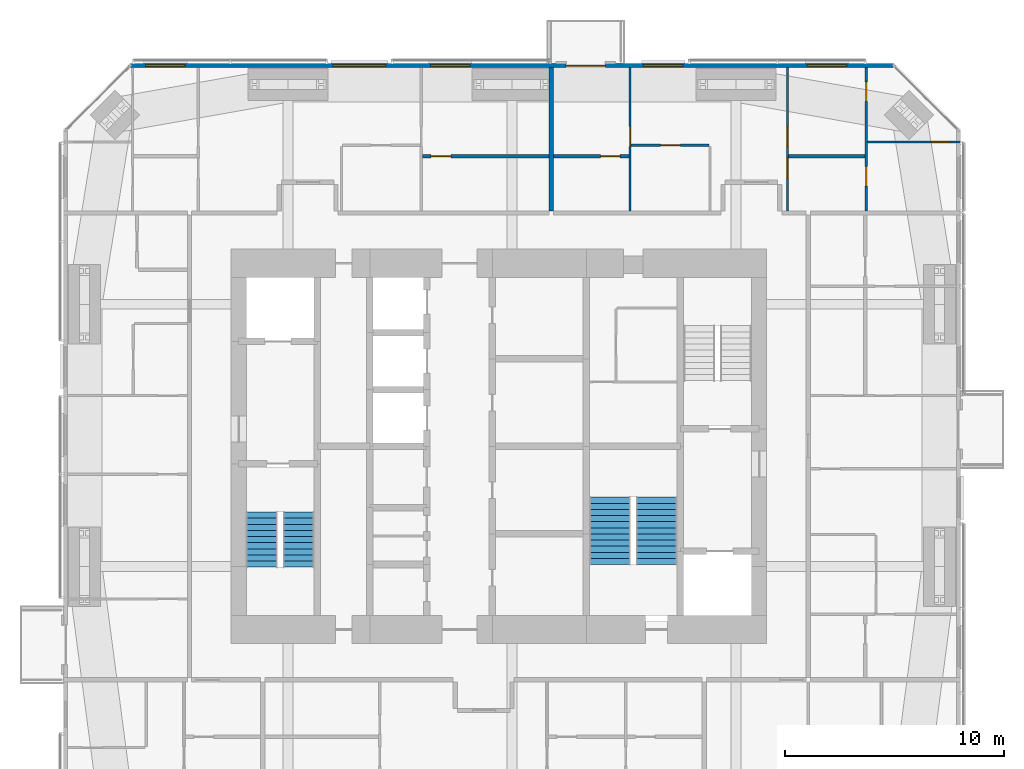
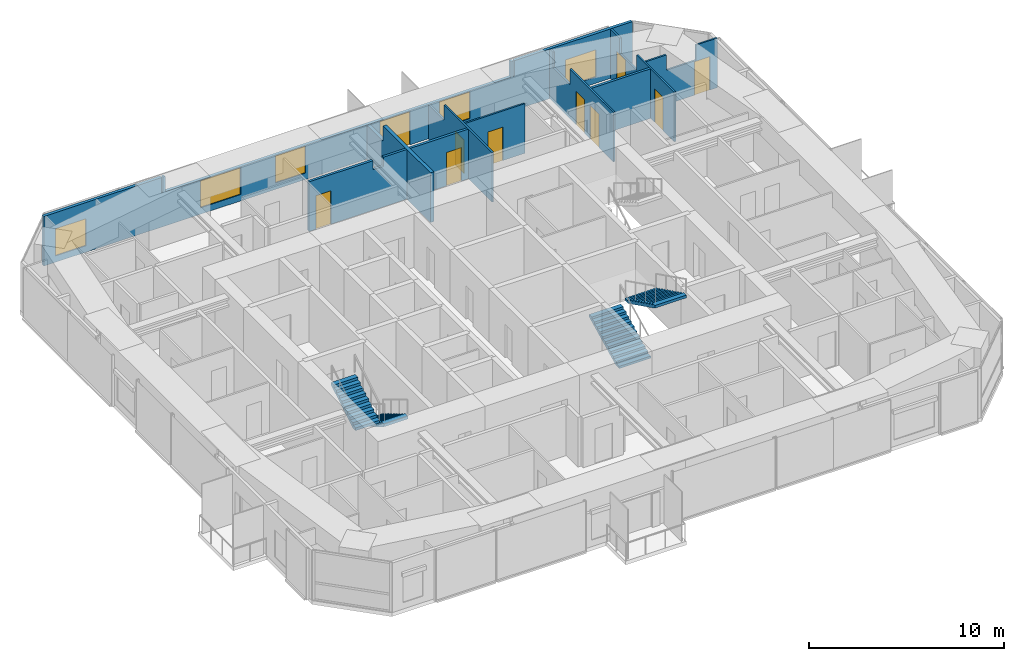
# One storey, part 21 of 23: 10 doors, 10 walls, 5 windows, 4 stair flights, 15 openings, 2 elements without a shape of their own.
"""IFC4 building model written with IfcOpenShell, lengths in metres."""

from ifc_helpers import new_model, si_unit, direction, frame, frame_2d, origin, place, context, subcontext, project, spatial, polyline, rectangle, outline, extrude, material, constituent, constituent_set, type_object, element, fill, aggregate, save


model = new_model("IFC4")

# Units and contexts
model_context = context("Model", 3, precision=1e-05, world=origin(), true_north=direction((0.0, 1.0)))
body_context = subcontext(model_context, "Body", "Model", "MODEL_VIEW")
ifc_project = project(units=[si_unit("LENGTHUNIT", "METRE"), si_unit("AREAUNIT", "SQUARE_METRE"), si_unit("VOLUMEUNIT", "CUBIC_METRE"), si_unit("PLANEANGLEUNIT", "RADIAN"), si_unit("MASSUNIT", "GRAM", prefix="KILO")], contexts=[model_context])

# Site, building, storey
site_placement = place(None, origin())
site = spatial("IfcSite", under=ifc_project, at=site_placement, CompositionType="ELEMENT")
building_placement = place(site_placement, origin())
building = spatial("IfcBuilding", under=site, at=building_placement, Name="Jalousie Tower", CompositionType="ELEMENT")
storey_placement = place(building_placement, frame((0.0, 0.0, 197.89990234375)))
storey = spatial("IfcBuildingStorey", under=building, at=storey_placement, Name="L54", CompositionType="ELEMENT", Elevation=197.89990234375)

# Wall, opening, door
ifc_material_1 = material(Name="Concrete block ASTM C90", Category="concrete")
ifc_constituent_1 = constituent(ifc_material_1, Name="Body")
ifc_material_2 = material(Name="Render")
ifc_constituent_2 = constituent(ifc_material_2, Name="Finish")
ifc_constituent_set_1 = constituent_set(constituents=[ifc_constituent_1, ifc_constituent_2])
wall_type_1 = type_object("IfcWallType", Name="BATHROOM WALL 150", PredefinedType="PLUMBINGWALL", material=ifc_constituent_set_1)
wall_1_placement = place(storey_placement, frame((28.39990234375, 31.77490234375, 0.0), z_axis=(0.0, 0.0, 1.0), x_axis=(1.0, 0.0, 0.0)))
wall_1 = element("IfcWall", 1, at=wall_1_placement, inside=storey, type_object=wall_type_1, Name="Bathroom Wall 150 L54", PredefinedType="PLUMBINGWALL", context=body_context, shape_type="SweptSolid", body=[
    extrude(outline(polyline([(0.0, 0.0), (5.800048828125, 0.0), (5.800048828125, 3.110107421875), (4.412353515625, 3.110107421875), (4.412353515625, 2.541015625), (3.78759765625, 2.541015625), (3.78759765625, 3.110107421875), (0.0, 3.110107421875), (0.0, 0.0)])), frame((0.0, 0.074951171875, 0.0), z_axis=(0.0, -1.0, 0.0), x_axis=(1.0, 0.0, 0.0)), (0.0, 0.0, 1.0), 0.14990234375),
])
opening_1_placement = place(wall_1_placement, frame((0.39990234375, 0.0, 0.0)))
opening_1 = element("IfcOpeningElement", 2, at=opening_1_placement, cuts=wall_1, Name="Opening D3", PredefinedType="OPENING", context=body_context, shape_type="SweptSolid", body=[
    extrude(rectangle(XDim=0.89990234375, YDim=2.10009765625, at=frame_2d((0.449951171875, 1.050048828125))), frame((0.0, 0.0849609375, 0.0), z_axis=(0.0, -1.0, 0.0), x_axis=(1.0, 0.0, 0.0)), (0.0, 0.0, 1.0), 0.169921875),
])
ifc_material_3 = material(Name="Timber door", Category="wood")
door_type_1 = type_object("IfcDoorType", Name="BATHROOM DOOR 900", OperationType="SINGLE_SWING_LEFT", PredefinedType="DOOR", material=ifc_material_3)
door_1_placement = place(opening_1_placement, frame((0.89990234375, 0.0, 0.0), z_axis=(0.0, 0.0, 1.0), x_axis=(-1.0, 0.0, 0.0)))
door_1 = element("IfcDoor", 3, at=door_1_placement, inside=storey, type_object=door_type_1, Name="Apartment 5404 bedroom 3 bathroom door", OperationType="SINGLE_SWING_RIGHT", OverallHeight=2.10009765625, OverallWidth=0.89990234375, PredefinedType="DOOR", context=body_context, shape_type="SweptSolid", body=[
    extrude(rectangle(XDim=0.89990234375, YDim=2.10009765625, at=frame_2d((0.449951171875, 1.050048828125))), frame((0.0, 0.02490234375, 0.0), z_axis=(0.0, -1.0, 0.0), x_axis=(1.0, 0.0, 0.0)), (0.0, 0.0, 1.0), 0.050048828125),
])
fill(opening_1, door_1)

wall_2_placement = place(storey_placement, frame((34.39990234375, 31.77490234375, 0.0), z_axis=(0.0, 0.0, 1.0), x_axis=(1.0, 0.0, 0.0)))
wall_2 = element("IfcWall", 4, at=wall_2_placement, inside=storey, type_object=wall_type_1, Name="Bathroom Wall 150 L54", PredefinedType="PLUMBINGWALL", context=body_context, shape_type="SweptSolid", body=[
    extrude(rectangle(XDim=3.4501953125, YDim=0.14990234375, at=frame_2d((1.72509765625, 0.0))), origin(), (0.0, 0.0, 1.0), 3.110107421875),
])
opening_2_placement = place(wall_2_placement, frame((2.14990234375, 0.0, 0.0)))
opening_2 = element("IfcOpeningElement", 5, at=opening_2_placement, cuts=wall_2, Name="Opening D3", PredefinedType="OPENING", context=body_context, shape_type="SweptSolid", body=[
    extrude(rectangle(XDim=0.89990234375, YDim=2.10009765625, at=frame_2d((0.449951171875, 1.050048828125))), frame((0.0, 0.0849609375, 0.0), z_axis=(0.0, -1.0, 0.0), x_axis=(1.0, 0.0, 0.0)), (0.0, 0.0, 1.0), 0.169921875),
])
door_2_placement = place(opening_2_placement, frame((0.89990234375, 0.0, 0.0), z_axis=(0.0, 0.0, 1.0), x_axis=(-1.0, 0.0, 0.0)))
door_2 = element("IfcDoor", 6, at=door_2_placement, inside=storey, type_object=door_type_1, Name="Apartment 5405 bedroom 1 bathroom door", OperationType="SINGLE_SWING_LEFT", OverallHeight=2.10009765625, OverallWidth=0.89990234375, PredefinedType="DOOR", context=body_context, shape_type="SweptSolid", body=[
    extrude(rectangle(XDim=0.89990234375, YDim=2.10009765625, at=frame_2d((0.449951171875, 1.050048828125))), frame((0.0, 0.02490234375, 0.0), z_axis=(0.0, -1.0, 0.0), x_axis=(1.0, 0.0, 0.0)), (0.0, 0.0, 1.0), 0.050048828125),
])
fill(opening_2, door_2)

# Wall
wall_3_placement = place(storey_placement, frame((45.14990234375, 31.77490234375, 0.0), z_axis=(0.0, 0.0, 1.0), x_axis=(1.0, 0.0, 0.0)))
element("IfcWall", 7, at=wall_3_placement, inside=storey, type_object=wall_type_1, Name="Bathroom Wall 150 L54", PredefinedType="PLUMBINGWALL", context=body_context, shape_type="SweptSolid", body=[
    extrude(rectangle(XDim=3.5, YDim=0.14990234375, at=frame_2d((1.75, 0.0))), origin(), (0.0, 0.0, 1.0), 3.110107421875),
])

# Wall, openings, door, windows
ifc_material_4 = material(Name="Concrete f'c 40 MPa", Category="concrete")
ifc_constituent_3 = constituent(ifc_material_4, Name="Body")
ifc_material_5 = material(Name="Render, pastel lemon")
ifc_constituent_4 = constituent(ifc_material_5, Name="Finish")
ifc_constituent_set_2 = constituent_set(constituents=[ifc_constituent_3, ifc_constituent_4])
wall_type_2 = type_object("IfcWallType", Name="EXTERNAL WALL 175 LEMON RENDER", PredefinedType="SOLIDWALL", material=ifc_constituent_set_2)
wall_4_placement = place(storey_placement, frame((49.94873046875, 35.91259765625, 0.0), z_axis=(0.0, 0.0, 1.0), x_axis=(-1.0, 0.0, 0.0)))
wall_4 = element("IfcWall", 8, at=wall_4_placement, inside=storey, type_object=wall_type_2, Name="External Wall 175 Lemon Render L54", PredefinedType="SOLIDWALL", context=body_context, shape_type="SweptSolid", body=[
    extrude(outline(polyline([(0.0, 0.0), (34.8974609375, 0.0), (34.8974609375, 3.110107421875), (27.91015625, 3.110107421875), (27.91015625, 2.150146484375), (27.8359375, 2.150146484375), (27.8359375, 3.110107421875), (27.69873046875, 3.110107421875), (27.69873046875, 2.150146484375), (7.19873046875, 2.150146484375), (7.19873046875, 3.110107421875), (7.0615234375, 3.110107421875), (7.0615234375, 2.150146484375), (6.9873046875, 2.150146484375), (6.9873046875, 3.110107421875), (0.0, 3.110107421875), (0.0, 0.0)])), frame((0.0, 0.08740234375, 0.0), z_axis=(0.0, -1.0, 0.0), x_axis=(1.0, 0.0, 0.0)), (0.0, 0.0, 1.0), 0.175048828125),
])
opening_3_placement = place(wall_4_placement, frame((2.148681640625, 0.0, 0.39990234375)))
opening_3 = element("IfcOpeningElement", 9, at=opening_3_placement, cuts=wall_4, Name="Opening W-BED170", PredefinedType="OPENING", context=body_context, shape_type="SweptSolid", body=[
    extrude(rectangle(XDim=1.800048828125, YDim=1.699951171875, at=frame_2d((0.89990234375, 0.85009765625))), frame((0.0, 0.097412109375, 0.0), z_axis=(0.0, -1.0, 0.0), x_axis=(1.0, 0.0, 0.0)), (0.0, 0.0, 1.0), 0.195068359375),
])
opening_4_placement = place(wall_4_placement, frame((9.63623046875, 0.0, 0.39990234375)))
opening_4 = element("IfcOpeningElement", 10, at=opening_4_placement, cuts=wall_4, Name="Opening W-BED170", PredefinedType="OPENING", context=body_context, shape_type="SweptSolid", body=[
    extrude(rectangle(XDim=1.800048828125, YDim=1.699951171875, at=frame_2d((0.89990234375, 0.85009765625))), frame((0.0, 0.097412109375, 0.0), z_axis=(0.0, -1.0, 0.0), x_axis=(1.0, 0.0, 0.0)), (0.0, 0.0, 1.0), 0.195068359375),
])
opening_5_placement = place(wall_4_placement, frame((13.173583984375, 0.0, 0.0)))
opening_5 = element("IfcOpeningElement", 11, at=opening_5_placement, cuts=wall_4, Name="Opening D-BAL21", PredefinedType="OPENING", context=body_context, shape_type="SweptSolid", body=[
    extrude(rectangle(XDim=1.800048828125, YDim=2.10009765625, at=frame_2d((0.89990234375, 1.050048828125))), frame((0.0, 0.097412109375, 0.0), z_axis=(0.0, -1.0, 0.0), x_axis=(1.0, 0.0, 0.0)), (0.0, 0.0, 1.0), 0.195068359375),
])
opening_6_placement = place(wall_4_placement, frame((19.373779296875, 0.0, 0.39990234375)))
opening_6 = element("IfcOpeningElement", 12, at=opening_6_placement, cuts=wall_4, Name="Opening W-BED170", PredefinedType="OPENING", context=body_context, shape_type="SweptSolid", body=[
    extrude(rectangle(XDim=1.800048828125, YDim=1.699951171875, at=frame_2d((0.89990234375, 0.85009765625))), frame((0.0, 0.097412109375, 0.0), z_axis=(0.0, -1.0, 0.0), x_axis=(1.0, 0.0, 0.0)), (0.0, 0.0, 1.0), 0.195068359375),
])
opening_7_placement = place(wall_4_placement, frame((23.2236328125, 0.0, 0.39990234375)))
opening_7 = element("IfcOpeningElement", 13, at=opening_7_placement, cuts=wall_4, Name="Opening W-LIV170", PredefinedType="OPENING", context=body_context, shape_type="SweptSolid", body=[
    extrude(rectangle(XDim=2.39990234375, YDim=1.699951171875, at=frame_2d((1.199951171875, 0.85009765625))), frame((0.0, 0.097412109375, 0.0), z_axis=(0.0, -1.0, 0.0), x_axis=(1.0, 0.0, 0.0)), (0.0, 0.0, 1.0), 0.195068359375),
])
opening_8_placement = place(wall_4_placement, frame((32.398681640625, 0.0, 0.39990234375)))
opening_8 = element("IfcOpeningElement", 14, at=opening_8_placement, cuts=wall_4, Name="Opening W-BED170", PredefinedType="OPENING", context=body_context, shape_type="SweptSolid", body=[
    extrude(rectangle(XDim=1.800048828125, YDim=1.699951171875, at=frame_2d((0.89990234375, 0.85009765625))), frame((0.0, 0.097412109375, 0.0), z_axis=(0.0, -1.0, 0.0), x_axis=(1.0, 0.0, 0.0)), (0.0, 0.0, 1.0), 0.195068359375),
])
ifc_material_6 = material(Name="Aluminium frame, impact-rated glazing", Category="aluminium")
door_type_2 = type_object("IfcDoorType", Name="BALCONY DOOR 1800x2100", OperationType="SLIDING_TO_LEFT", PredefinedType="DOOR", material=ifc_material_6)
door_3_placement = place(opening_5_placement, origin())
door_3 = element("IfcDoor", 15, at=door_3_placement, inside=storey, type_object=door_type_2, Name="Apartment 5405 bedroom 1 balcony door", OperationType="SLIDING_TO_LEFT", OverallHeight=2.10009765625, OverallWidth=1.800048828125, PredefinedType="DOOR", context=body_context, shape_type="SweptSolid", body=[
    extrude(rectangle(XDim=1.800048828125, YDim=2.10009765625, at=frame_2d((0.89990234375, 1.050048828125))), frame((0.0, 0.02490234375, 0.0), z_axis=(0.0, -1.0, 0.0), x_axis=(1.0, 0.0, 0.0)), (0.0, 0.0, 1.0), 0.050048828125),
])
fill(opening_5, door_3)
ifc_material_7 = material(Name="Aluminium frame, impact-rated glazing", Category="aluminium")
window_type_1 = type_object("IfcWindowType", Name="WINDOW BED 1800x1700", PartitioningType="SINGLE_PANEL", PredefinedType="WINDOW", material=ifc_material_7)
window_1_placement = place(opening_3_placement, origin())
window_1 = element("IfcWindow", 16, at=window_1_placement, inside=storey, type_object=window_type_1, Name="Apartment 5405 bedroom 2 window", OverallHeight=1.699951171875, OverallWidth=1.800048828125, PartitioningType="SINGLE_PANEL", PredefinedType="WINDOW", context=body_context, shape_type="SweptSolid", body=[
    extrude(rectangle(XDim=1.800048828125, YDim=1.699951171875, at=frame_2d((0.89990234375, 0.85009765625))), frame((0.0, 0.030029296875, 0.0), z_axis=(0.0, -1.0, 0.0), x_axis=(1.0, 0.0, 0.0)), (0.0, 0.0, 1.0), 0.06005859375),
])
fill(opening_3, window_1)
window_2_placement = place(opening_4_placement, origin())
window_2 = element("IfcWindow", 17, at=window_2_placement, inside=storey, type_object=window_type_1, Name="Apartment 5405 living and dining room window", OverallHeight=1.699951171875, OverallWidth=1.800048828125, PartitioningType="SINGLE_PANEL", PredefinedType="WINDOW", context=body_context, shape_type="SweptSolid", body=[
    extrude(rectangle(XDim=1.800048828125, YDim=1.699951171875, at=frame_2d((0.89990234375, 0.85009765625))), frame((0.0, 0.030029296875, 0.0), z_axis=(0.0, -1.0, 0.0), x_axis=(1.0, 0.0, 0.0)), (0.0, 0.0, 1.0), 0.06005859375),
])
fill(opening_4, window_2)
window_3_placement = place(opening_6_placement, origin())
window_3 = element("IfcWindow", 18, at=window_3_placement, inside=storey, type_object=window_type_1, Name="Apartment 5404 bedroom 3 window", OverallHeight=1.699951171875, OverallWidth=1.800048828125, PartitioningType="SINGLE_PANEL", PredefinedType="WINDOW", context=body_context, shape_type="SweptSolid", body=[
    extrude(rectangle(XDim=1.800048828125, YDim=1.699951171875, at=frame_2d((0.89990234375, 0.85009765625))), frame((0.0, 0.030029296875, 0.0), z_axis=(0.0, -1.0, 0.0), x_axis=(1.0, 0.0, 0.0)), (0.0, 0.0, 1.0), 0.06005859375),
])
fill(opening_6, window_3)
window_4_placement = place(opening_8_placement, origin())
window_4 = element("IfcWindow", 19, at=window_4_placement, inside=storey, type_object=window_type_1, Name="Apartment 5404 bedroom 2 window", OverallHeight=1.699951171875, OverallWidth=1.800048828125, PartitioningType="SINGLE_PANEL", PredefinedType="WINDOW", context=body_context, shape_type="SweptSolid", body=[
    extrude(rectangle(XDim=1.800048828125, YDim=1.699951171875, at=frame_2d((0.89990234375, 0.85009765625))), frame((0.0, 0.030029296875, 0.0), z_axis=(0.0, -1.0, 0.0), x_axis=(1.0, 0.0, 0.0)), (0.0, 0.0, 1.0), 0.06005859375),
])
fill(opening_8, window_4)
ifc_material_8 = material(Name="Aluminium frame, impact-rated glazing", Category="aluminium")
window_type_2 = type_object("IfcWindowType", Name="WINDOW LIV 2400x1700", PartitioningType="DOUBLE_PANEL_VERTICAL", PredefinedType="WINDOW", material=ifc_material_8)
window_5_placement = place(opening_7_placement, origin())
window_5 = element("IfcWindow", 20, at=window_5_placement, inside=storey, type_object=window_type_2, Name="Apartment 5404 living and dining room window", OverallHeight=1.699951171875, OverallWidth=2.39990234375, PartitioningType="SINGLE_PANEL", PredefinedType="WINDOW", context=body_context, shape_type="SweptSolid", body=[
    extrude(rectangle(XDim=2.39990234375, YDim=1.699951171875, at=frame_2d((1.199951171875, 0.85009765625))), frame((0.0, 0.030029296875, 0.0), z_axis=(0.0, -1.0, 0.0), x_axis=(1.0, 0.0, 0.0)), (0.0, 0.0, 1.0), 0.06005859375),
])
fill(opening_7, window_5)

# Wall, opening, door
ifc_material_9 = material(Name="Gypsum board", Category="gypsum")
ifc_constituent_5 = constituent(ifc_material_9, Name="Body")
ifc_material_10 = material(Name="Light-gauge steel studs ASTM A653 SS Grade 33", Category="steel")
ifc_constituent_6 = constituent(ifc_material_10, Name="Framing")
ifc_constituent_set_3 = constituent_set(constituents=[ifc_constituent_5, ifc_constituent_6])
wall_type_3 = type_object("IfcWallType", Name="PARTITION 100", PredefinedType="PARTITIONING", material=ifc_constituent_set_3)
wall_5_placement = place(storey_placement, frame((37.89990234375, 35.824951171875, 0.0), z_axis=(0.0, 0.0, 1.0), x_axis=(0.0, -1.0, 0.0)))
wall_5 = element("IfcWall", 21, at=wall_5_placement, inside=storey, type_object=wall_type_3, Name="Partition 100 L54", PredefinedType="PARTITIONING", context=body_context, shape_type="SweptSolid", body=[
    extrude(outline(polyline([(0.0, 0.0), (6.550048828125, 0.0), (6.550048828125, 3.110107421875), (1.635009765625, 3.110107421875), (1.635009765625, 2.150146484375), (0.0, 2.150146484375), (0.0, 3.110107421875), (0.0, 0.0)])), frame((0.0, 0.050048828125, 0.0), z_axis=(0.0, -1.0, 0.0), x_axis=(1.0, 0.0, 0.0)), (0.0, 0.0, 1.0), 0.10009765625),
])
opening_9_placement = place(wall_5_placement, frame((2.699951171875, 0.0, 0.0)))
opening_9 = element("IfcOpeningElement", 22, at=opening_9_placement, cuts=wall_5, Name="Opening D2", PredefinedType="OPENING", context=body_context, shape_type="SweptSolid", body=[
    extrude(rectangle(XDim=0.89990234375, YDim=2.10009765625, at=frame_2d((0.449951171875, 1.050048828125))), frame((0.0, 0.06005859375, 0.0), z_axis=(0.0, -1.0, 0.0), x_axis=(1.0, 0.0, 0.0)), (0.0, 0.0, 1.0), 0.1201171875),
])
ifc_material_11 = material(Name="Timber door", Category="wood")
door_type_3 = type_object("IfcDoorType", Name="BEDROOM DOOR 900", OperationType="SINGLE_SWING_LEFT", PredefinedType="DOOR", material=ifc_material_11)
door_4_placement = place(opening_9_placement, frame((0.89990234375, 0.0, 0.0), z_axis=(0.0, 0.0, 1.0), x_axis=(-1.0, 0.0, 0.0)))
door_4 = element("IfcDoor", 23, at=door_4_placement, inside=storey, type_object=door_type_3, Name="Apartment 5405 bedroom 1 door", OperationType="SINGLE_SWING_LEFT", OverallHeight=2.10009765625, OverallWidth=0.89990234375, PredefinedType="DOOR", context=body_context, shape_type="SweptSolid", body=[
    extrude(rectangle(XDim=0.89990234375, YDim=2.10009765625, at=frame_2d((0.449951171875, 1.050048828125))), frame((0.0, 0.02490234375, 0.0), z_axis=(0.0, -1.0, 0.0), x_axis=(1.0, 0.0, 0.0)), (0.0, 0.0, 1.0), 0.050048828125),
])
fill(opening_9, door_4)

# Wall, openings, doors
wall_6_placement = place(storey_placement, frame((45.10009765625, 35.824951171875, 0.0), z_axis=(0.0, 0.0, 1.0), x_axis=(0.0, -1.0, 0.0)))
wall_6 = element("IfcWall", 24, at=wall_6_placement, inside=storey, type_object=wall_type_3, Name="Partition 100 L54", PredefinedType="PARTITIONING", context=body_context, shape_type="SweptSolid", body=[
    extrude(outline(polyline([(0.0, 0.0), (6.550048828125, 0.0), (6.550048828125, 3.110107421875), (2.064208984375, 3.110107421875), (2.064208984375, 2.150146484375), (0.317626953125, 2.150146484375), (0.317626953125, 3.110107421875), (0.0, 3.110107421875), (0.0, 0.0)])), frame((0.0, 0.050048828125, 0.0), z_axis=(0.0, -1.0, 0.0), x_axis=(1.0, 0.0, 0.0)), (0.0, 0.0, 1.0), 0.10009765625),
])
opening_10_placement = place(wall_6_placement, frame((2.699951171875, 0.0, 0.0)))
opening_10 = element("IfcOpeningElement", 25, at=opening_10_placement, cuts=wall_6, Name="Opening D2", PredefinedType="OPENING", context=body_context, shape_type="SweptSolid", body=[
    extrude(rectangle(XDim=0.89990234375, YDim=2.10009765625, at=frame_2d((0.449951171875, 1.050048828125))), frame((0.0, 0.06005859375, 0.0), z_axis=(0.0, -1.0, 0.0), x_axis=(1.0, 0.0, 0.0)), (0.0, 0.0, 1.0), 0.1201171875),
])
opening_11_placement = place(wall_6_placement, frame((4.14990234375, 0.0, 0.0)))
opening_11 = element("IfcOpeningElement", 26, at=opening_11_placement, cuts=wall_6, Name="Opening D7", PredefinedType="OPENING", context=body_context, shape_type="SweptSolid", body=[
    extrude(rectangle(XDim=0.89990234375, YDim=2.10009765625, at=frame_2d((0.449951171875, 1.050048828125))), frame((0.0, 0.06005859375, 0.0), z_axis=(0.0, -1.0, 0.0), x_axis=(1.0, 0.0, 0.0)), (0.0, 0.0, 1.0), 0.1201171875),
])
door_5_placement = place(opening_10_placement, origin())
door_5 = element("IfcDoor", 27, at=door_5_placement, inside=storey, type_object=door_type_3, Name="Apartment 5405 bedroom 2 door", OperationType="SINGLE_SWING_RIGHT", OverallHeight=2.10009765625, OverallWidth=0.89990234375, PredefinedType="DOOR", context=body_context, shape_type="SweptSolid", body=[
    extrude(rectangle(XDim=0.89990234375, YDim=2.10009765625, at=frame_2d((0.449951171875, 1.050048828125))), frame((0.0, 0.02490234375, 0.0), z_axis=(0.0, -1.0, 0.0), x_axis=(1.0, 0.0, 0.0)), (0.0, 0.0, 1.0), 0.050048828125),
])
fill(opening_10, door_5)
ifc_material_12 = material(Name="Timber door", Category="wood")
door_type_4 = type_object("IfcDoorType", Name="INTERNAL DOOR 900", OperationType="SINGLE_SWING_LEFT", PredefinedType="DOOR", material=ifc_material_12)
door_6_placement = place(opening_11_placement, origin())
door_6 = element("IfcDoor", 28, at=door_6_placement, inside=storey, type_object=door_type_4, Name="Apartment 5405 bathroom door", OperationType="SINGLE_SWING_LEFT", OverallHeight=2.10009765625, OverallWidth=0.89990234375, PredefinedType="DOOR", context=body_context, shape_type="SweptSolid", body=[
    extrude(rectangle(XDim=0.89990234375, YDim=2.10009765625, at=frame_2d((0.449951171875, 1.050048828125))), frame((0.0, 0.02490234375, 0.0), z_axis=(0.0, -1.0, 0.0), x_axis=(1.0, 0.0, 0.0)), (0.0, 0.0, 1.0), 0.050048828125),
])
fill(opening_11, door_6)

wall_7_placement = place(storey_placement, frame((48.699951171875, 35.824951171875, 0.0), z_axis=(0.0, 0.0, 1.0), x_axis=(0.0, -1.0, 0.0)))
wall_7 = element("IfcWall", 29, at=wall_7_placement, inside=storey, type_object=wall_type_3, Name="Partition 100 L54", PredefinedType="PARTITIONING", context=body_context, shape_type="SweptSolid", body=[
    extrude(outline(polyline([(0.0, 0.0), (6.550048828125, 0.0), (6.550048828125, 3.110107421875), (2.701416015625, 3.110107421875), (2.701416015625, 2.150146484375), (0.95458984375, 2.150146484375), (0.95458984375, 3.110107421875), (0.0, 3.110107421875), (0.0, 0.0)])), frame((0.0, 0.050048828125, 0.0), z_axis=(0.0, -1.0, 0.0), x_axis=(1.0, 0.0, 0.0)), (0.0, 0.0, 1.0), 0.10009765625),
])
opening_12_placement = place(wall_7_placement, frame((0.64990234375, 0.0, 0.0)))
opening_12 = element("IfcOpeningElement", 30, at=opening_12_placement, cuts=wall_7, Name="Opening D2", PredefinedType="OPENING", context=body_context, shape_type="SweptSolid", body=[
    extrude(rectangle(XDim=0.89990234375, YDim=2.10009765625, at=frame_2d((0.449951171875, 1.050048828125))), frame((0.0, 0.06005859375, 0.0), z_axis=(0.0, -1.0, 0.0), x_axis=(1.0, 0.0, 0.0)), (0.0, 0.0, 1.0), 0.1201171875),
])
opening_13_placement = place(wall_7_placement, frame((4.52734375, 0.0, 0.0)))
opening_13 = element("IfcOpeningElement", 31, at=opening_13_placement, cuts=wall_7, Name="Opening D3", PredefinedType="OPENING", context=body_context, shape_type="SweptSolid", body=[
    extrude(rectangle(XDim=0.89990234375, YDim=2.10009765625, at=frame_2d((0.449951171875, 1.050048828125))), frame((0.0, 0.06005859375, 0.0), z_axis=(0.0, -1.0, 0.0), x_axis=(1.0, 0.0, 0.0)), (0.0, 0.0, 1.0), 0.1201171875),
])
door_7_placement = place(opening_13_placement, frame((0.89990234375, 0.0, 0.0), z_axis=(0.0, 0.0, 1.0), x_axis=(-1.0, 0.0, 0.0)))
door_7 = element("IfcDoor", 32, at=door_7_placement, inside=storey, type_object=door_type_1, Name="Apartment 5405 bedroom 3 bathroom door", OperationType="SINGLE_SWING_RIGHT", OverallHeight=2.10009765625, OverallWidth=0.89990234375, PredefinedType="DOOR", context=body_context, shape_type="SweptSolid", body=[
    extrude(rectangle(XDim=0.89990234375, YDim=2.10009765625, at=frame_2d((0.449951171875, 1.050048828125))), frame((0.0, 0.02490234375, 0.0), z_axis=(0.0, -1.0, 0.0), x_axis=(1.0, 0.0, 0.0)), (0.0, 0.0, 1.0), 0.050048828125),
])
fill(opening_13, door_7)
door_8_placement = place(opening_12_placement, frame((0.89990234375, 0.0, 0.0), z_axis=(0.0, 0.0, 1.0), x_axis=(-1.0, 0.0, 0.0)))
door_8 = element("IfcDoor", 33, at=door_8_placement, inside=storey, type_object=door_type_3, Name="Apartment 5405 bedroom 3 door", OperationType="SINGLE_SWING_RIGHT", OverallHeight=2.10009765625, OverallWidth=0.89990234375, PredefinedType="DOOR", context=body_context, shape_type="SweptSolid", body=[
    extrude(rectangle(XDim=0.89990234375, YDim=2.10009765625, at=frame_2d((0.449951171875, 1.050048828125))), frame((0.0, 0.02490234375, 0.0), z_axis=(0.0, -1.0, 0.0), x_axis=(1.0, 0.0, 0.0)), (0.0, 0.0, 1.0), 0.050048828125),
])
fill(opening_12, door_8)

# Wall, opening, door
wall_8_placement = place(storey_placement, frame((48.75, 32.420166015625, 0.0), z_axis=(0.0, 0.0, 1.0), x_axis=(1.0, 0.0, 0.0)))
wall_8 = element("IfcWall", 34, at=wall_8_placement, inside=storey, type_object=wall_type_3, Name="Partition 100 L54", PredefinedType="PARTITIONING", context=body_context, shape_type="SweptSolid", body=[
    extrude(outline(polyline([(0.0, 0.0), (4.25, 0.0), (4.25, 3.110107421875), (2.9716796875, 3.110107421875), (2.9716796875, 2.150146484375), (1.2294921875, 2.150146484375), (1.2294921875, 3.110107421875), (0.0, 3.110107421875), (0.0, 0.0)])), frame((0.0, 0.050048828125, 0.0), z_axis=(0.0, -1.0, 0.0), x_axis=(1.0, 0.0, 0.0)), (0.0, 0.0, 1.0), 0.10009765625),
])
opening_14_placement = place(wall_8_placement, frame((2.89990234375, 0.0, 0.0)))
opening_14 = element("IfcOpeningElement", 35, at=opening_14_placement, cuts=wall_8, Name="Opening D7", PredefinedType="OPENING", context=body_context, shape_type="SweptSolid", body=[
    extrude(rectangle(XDim=0.89990234375, YDim=2.10009765625, at=frame_2d((0.449951171875, 1.050048828125))), frame((0.0, 0.06005859375, 0.0), z_axis=(0.0, -1.0, 0.0), x_axis=(1.0, 0.0, 0.0)), (0.0, 0.0, 1.0), 0.1201171875),
])
door_9_placement = place(opening_14_placement, frame((0.89990234375, 0.0, 0.0), z_axis=(0.0, 0.0, 1.0), x_axis=(-1.0, 0.0, 0.0)))
door_9 = element("IfcDoor", 36, at=door_9_placement, inside=storey, type_object=door_type_4, Name="Apartment 5405 bedroom 3 dressing hall door", OperationType="SINGLE_SWING_LEFT", OverallHeight=2.10009765625, OverallWidth=0.89990234375, PredefinedType="DOOR", context=body_context, shape_type="SweptSolid", body=[
    extrude(rectangle(XDim=0.89990234375, YDim=2.10009765625, at=frame_2d((0.449951171875, 1.050048828125))), frame((0.0, 0.02490234375, 0.0), z_axis=(0.0, -1.0, 0.0), x_axis=(1.0, 0.0, 0.0)), (0.0, 0.0, 1.0), 0.050048828125),
])
fill(opening_14, door_9)

wall_9_placement = place(storey_placement, frame((37.949951171875, 32.27490234375, 0.0), z_axis=(0.0, 0.0, 1.0), x_axis=(1.0, 0.0, 0.0)))
wall_9 = element("IfcWall", 37, at=wall_9_placement, inside=storey, type_object=wall_type_3, Name="Partition 100 L54", PredefinedType="PARTITIONING", context=body_context, shape_type="SweptSolid", body=[
    extrude(rectangle(XDim=3.550048828125, YDim=0.10009765625, at=frame_2d((1.77490234375, 0.0))), origin(), (0.0, 0.0, 1.0), 3.110107421875),
])
opening_15_placement = place(wall_9_placement, frame((1.35009765625, 0.0, 0.0)))
opening_15 = element("IfcOpeningElement", 38, at=opening_15_placement, cuts=wall_9, Name="Opening D7", PredefinedType="OPENING", context=body_context, shape_type="SweptSolid", body=[
    extrude(rectangle(XDim=0.89990234375, YDim=2.10009765625, at=frame_2d((0.449951171875, 1.050048828125))), frame((0.0, 0.06005859375, 0.0), z_axis=(0.0, -1.0, 0.0), x_axis=(1.0, 0.0, 0.0)), (0.0, 0.0, 1.0), 0.1201171875),
])
door_10_placement = place(opening_15_placement, origin())
door_10 = element("IfcDoor", 39, at=door_10_placement, inside=storey, type_object=door_type_4, Name="Apartment 5405 kitchen door", OperationType="SINGLE_SWING_LEFT", OverallHeight=2.10009765625, OverallWidth=0.89990234375, PredefinedType="DOOR", context=body_context, shape_type="SweptSolid", body=[
    extrude(rectangle(XDim=0.89990234375, YDim=2.10009765625, at=frame_2d((0.449951171875, 1.050048828125))), frame((0.0, 0.02490234375, 0.0), z_axis=(0.0, -1.0, 0.0), x_axis=(1.0, 0.0, 0.0)), (0.0, 0.0, 1.0), 0.050048828125),
])
fill(opening_15, door_10)

# Wall
ifc_material_13 = material(Name="Concrete block ASTM C90", Category="concrete")
ifc_constituent_7 = constituent(ifc_material_13, Name="Body")
ifc_material_14 = material(Name="Render")
ifc_constituent_8 = constituent(ifc_material_14, Name="Finish")
ifc_constituent_set_4 = constituent_set(constituents=[ifc_constituent_7, ifc_constituent_8])
wall_type_4 = type_object("IfcWallType", Name="PARTY WALL 200", PredefinedType="PARTITIONING", material=ifc_constituent_set_4)
wall_10_placement = place(storey_placement, frame((34.300048828125, 35.824951171875, 0.0), z_axis=(0.0, 0.0, 1.0), x_axis=(0.0, -1.0, 0.0)))
element("IfcWall", 40, at=wall_10_placement, inside=storey, type_object=wall_type_4, Name="Party Wall 200 L54", PredefinedType="PARTITIONING", context=body_context, shape_type="SweptSolid", body=[
    extrude(outline(polyline([(0.0, 0.0), (6.550048828125, 0.0), (6.550048828125, 3.110107421875), (1.68505859375, 3.110107421875), (1.68505859375, 2.150146484375), (0.0, 2.150146484375), (0.0, 3.110107421875), (0.0, 0.0)])), frame((0.0, 0.10009765625, 0.0), z_axis=(0.0, -1.0, 0.0), x_axis=(1.0, 0.0, 0.0)), (0.0, 0.0, 1.0), 0.199951171875),
])

# Stair, stair flights
ifc_material_15 = material(Name="Concrete f'c 40 MPa", Category="concrete")
stair_type = type_object("IfcStairType", Name="EXIT STAIR", PredefinedType="HALF_TURN_STAIR", material=ifc_material_15)
stair_1_placement = place(storey_placement, origin())
stair_1 = element("IfcStair", 41, at=stair_1_placement, inside=storey, type_object=stair_type, Name="Exit stair A L54", PredefinedType="HALF_TURN_STAIR")
ifc_material_16 = material(Name="Concrete f'c 40 MPa", Category="concrete")
stair_flight_type = type_object("IfcStairFlightType", Name="STAIR FLIGHT", PredefinedType="STRAIGHT", material=ifc_material_16)
stair_flight_1_placement = place(storey_placement, frame((22.737548828125, 15.49755859375, 0.0), z_axis=(0.0, 0.0, 1.0), x_axis=(0.0, -1.0, 0.0)))
stair_flight_1 = element("IfcStairFlight", 42, at=stair_flight_1_placement, type_object=stair_flight_type, Name="ST-A flight 1", NumberOfRisers=10, NumberOfTreads=9, PredefinedType="STRAIGHT", RiserHeight=0.1675, TreadLength=0.28, context=body_context, shape_type="SweptSolid", body=[
    extrude(outline(polyline([(0.0, 0.0), (0.0, 0.16748046875), (0.280029296875, 0.16748046875), (0.280029296875, 0.3349609375), (0.56005859375, 0.3349609375), (0.56005859375, 0.50244140625), (0.840087890625, 0.50244140625), (0.840087890625, 0.669921875), (1.1201171875, 0.669921875), (1.1201171875, 0.83740234375), (1.39990234375, 0.83740234375), (1.39990234375, 1.0048828125), (1.679931640625, 1.0048828125), (1.679931640625, 1.172607421875), (1.9599609375, 1.172607421875), (1.9599609375, 1.340087890625), (2.239990234375, 1.340087890625), (2.239990234375, 1.507568359375), (2.52001953125, 1.507568359375), (2.52001953125, 1.675048828125), (2.52001953125, 1.332763671875), (0.2919921875, 0.0), (0.0, 0.0)])), frame((0.0, 0.71240234375, 0.0), z_axis=(0.0, -1.0, 0.0), x_axis=(1.0, 0.0, 0.0)), (0.0, 0.0, 1.0), 1.425048828125),
])
stair_flight_2_placement = place(storey_placement, frame((21.0625, 12.9775390625, 1.675048828125), z_axis=(0.0, 0.0, 1.0), x_axis=(0.0, 1.0, 0.0)))
stair_flight_2 = element("IfcStairFlight", 43, at=stair_flight_2_placement, type_object=stair_flight_type, Name="ST-A flight 2", NumberOfRisers=10, NumberOfTreads=9, PredefinedType="STRAIGHT", RiserHeight=0.1675, TreadLength=0.28, context=body_context, shape_type="SweptSolid", body=[
    extrude(outline(polyline([(0.0, 0.0), (0.0, 0.16748046875), (0.280029296875, 0.16748046875), (0.280029296875, 0.3349609375), (0.56005859375, 0.3349609375), (0.56005859375, 0.50244140625), (0.840087890625, 0.50244140625), (0.840087890625, 0.669921875), (1.1201171875, 0.669921875), (1.1201171875, 0.83740234375), (1.39990234375, 0.83740234375), (1.39990234375, 1.0048828125), (1.679931640625, 1.0048828125), (1.679931640625, 1.172607421875), (1.9599609375, 1.172607421875), (1.9599609375, 1.340087890625), (2.239990234375, 1.340087890625), (2.239990234375, 1.507568359375), (2.52001953125, 1.507568359375), (2.52001953125, 1.675048828125), (2.52001953125, 1.332763671875), (0.2919921875, 0.0), (0.0, 0.0)])), frame((0.0, 0.71240234375, 0.0), z_axis=(0.0, -1.0, 0.0), x_axis=(1.0, 0.0, 0.0)), (0.0, 0.0, 1.0), 1.425048828125),
])
aggregate(stair_1, [stair_flight_1, stair_flight_2])

stair_2_placement = place(storey_placement, origin())
stair_2 = element("IfcStair", 44, at=stair_2_placement, inside=storey, type_object=stair_type, Name="Exit stair C L54", PredefinedType="HALF_TURN_STAIR")
stair_flight_3_placement = place(storey_placement, frame((36.987548828125, 13.097412109375, 0.0), z_axis=(0.0, 0.0, 1.0), x_axis=(0.0, 1.0, 0.0)))
stair_flight_3 = element("IfcStairFlight", 45, at=stair_flight_3_placement, type_object=stair_flight_type, Name="ST-C flight 1", NumberOfRisers=12, NumberOfTreads=11, PredefinedType="STRAIGHT", RiserHeight=0.139583333, TreadLength=0.28, context=body_context, shape_type="SweptSolid", body=[
    extrude(outline(polyline([(0.0, 0.0), (0.0, 0.1396484375), (0.280029296875, 0.1396484375), (0.280029296875, 0.279052734375), (0.56005859375, 0.279052734375), (0.56005859375, 0.418701171875), (0.840087890625, 0.418701171875), (0.840087890625, 0.558349609375), (1.1201171875, 0.558349609375), (1.1201171875, 0.697998046875), (1.39990234375, 0.697998046875), (1.39990234375, 0.83740234375), (1.679931640625, 0.83740234375), (1.679931640625, 0.97705078125), (1.9599609375, 0.97705078125), (1.9599609375, 1.11669921875), (2.239990234375, 1.11669921875), (2.239990234375, 1.25634765625), (2.52001953125, 1.25634765625), (2.52001953125, 1.395751953125), (2.800048828125, 1.395751953125), (2.800048828125, 1.535400390625), (3.080078125, 1.535400390625), (3.080078125, 1.675048828125), (3.080078125, 1.367919921875), (0.3359375, 0.0), (0.0, 0.0)])), frame((0.0, 0.9375, 0.0), z_axis=(0.0, -1.0, 0.0), x_axis=(1.0, 0.0, 0.0)), (0.0, 0.0, 1.0), 1.875),
])
stair_flight_4_placement = place(storey_placement, frame((39.112548828125, 16.177490234375, 1.675048828125), z_axis=(0.0, 0.0, 1.0), x_axis=(0.0, -1.0, 0.0)))
stair_flight_4 = element("IfcStairFlight", 46, at=stair_flight_4_placement, type_object=stair_flight_type, Name="ST-C flight 2", NumberOfRisers=12, NumberOfTreads=11, PredefinedType="STRAIGHT", RiserHeight=0.139583333, TreadLength=0.28, context=body_context, shape_type="SweptSolid", body=[
    extrude(outline(polyline([(0.0, 0.0), (0.0, 0.1396484375), (0.280029296875, 0.1396484375), (0.280029296875, 0.279052734375), (0.56005859375, 0.279052734375), (0.56005859375, 0.418701171875), (0.840087890625, 0.418701171875), (0.840087890625, 0.558349609375), (1.1201171875, 0.558349609375), (1.1201171875, 0.697998046875), (1.39990234375, 0.697998046875), (1.39990234375, 0.83740234375), (1.679931640625, 0.83740234375), (1.679931640625, 0.97705078125), (1.9599609375, 0.97705078125), (1.9599609375, 1.11669921875), (2.239990234375, 1.11669921875), (2.239990234375, 1.25634765625), (2.52001953125, 1.25634765625), (2.52001953125, 1.395751953125), (2.800048828125, 1.395751953125), (2.800048828125, 1.535400390625), (3.080078125, 1.535400390625), (3.080078125, 1.675048828125), (3.080078125, 1.367919921875), (0.3359375, 0.0), (0.0, 0.0)])), frame((0.0, 0.9375, 0.0), z_axis=(0.0, -1.0, 0.0), x_axis=(1.0, 0.0, 0.0)), (0.0, 0.0, 1.0), 1.875),
])
aggregate(stair_2, [stair_flight_3, stair_flight_4])

save(model, "model.ifc")
